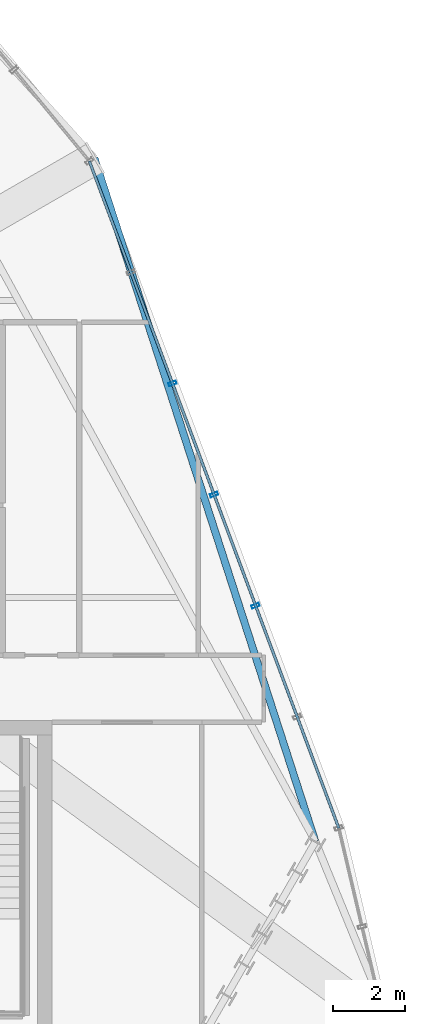
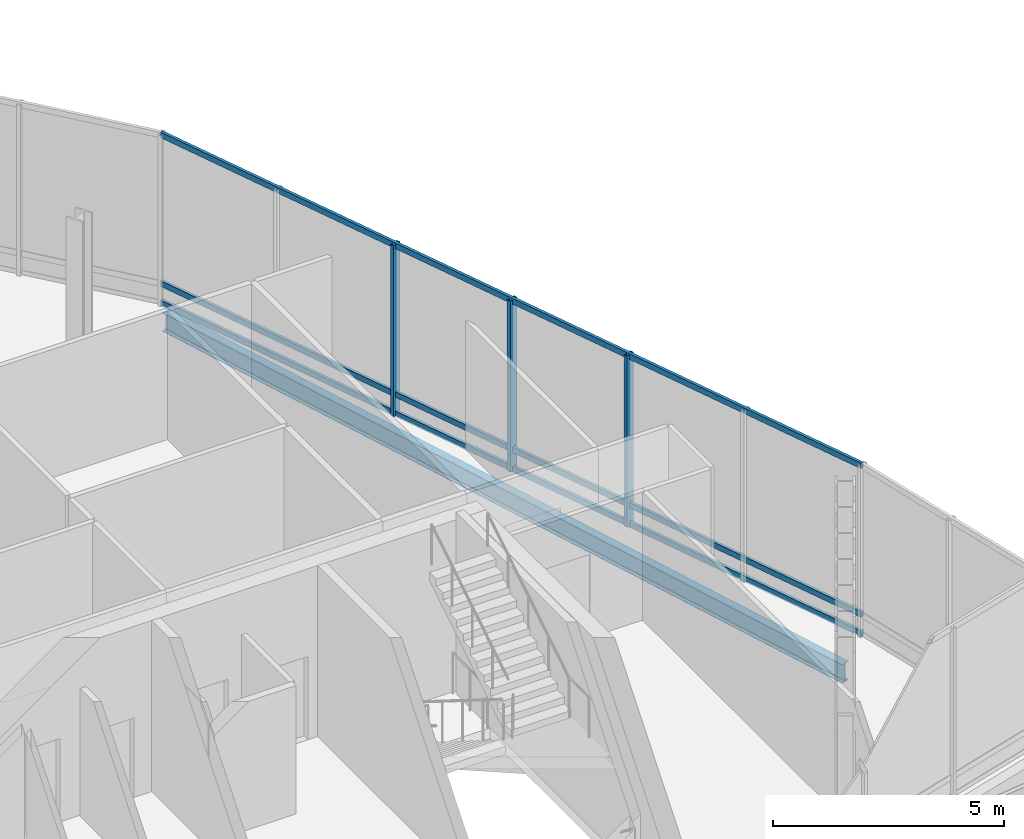
# One storey, part 13 of 29: 6 members, 1 beam, 1 element without a shape of its own.
"""IFC4 building model written with IfcOpenShell, lengths in metres."""

from ifc_helpers import new_model, si_unit, direction, frame, origin, origin_2d, place, context, subcontext, project, spatial, hollow_rectangle, i_section, extrude, material, layer, layer_set, material_profile, profile_set, type_object, element, aggregate, save


model = new_model("IFC4")

# Units and contexts
model_context = context("Model", 3, precision=1e-05, world=origin(), true_north=direction((0.0, 1.0)))
body_context = subcontext(model_context, "Body", "Model", "MODEL_VIEW")
ifc_project = project(units=[si_unit("LENGTHUNIT", "METRE"), si_unit("AREAUNIT", "SQUARE_METRE"), si_unit("VOLUMEUNIT", "CUBIC_METRE"), si_unit("PLANEANGLEUNIT", "RADIAN"), si_unit("MASSUNIT", "GRAM", prefix="KILO")], contexts=[model_context])

# Site, building, storey
site_placement = place(None, origin())
site = spatial("IfcSite", under=ifc_project, at=site_placement, CompositionType="ELEMENT")
building_placement = place(site_placement, origin())
building = spatial("IfcBuilding", under=site, at=building_placement, Name="Ndaravel Arena Tower", CompositionType="ELEMENT")
storey_placement = place(building_placement, frame((0.0, 0.0, 208.39990234375)))
storey = spatial("IfcBuildingStorey", under=building, at=storey_placement, Name="L50", CompositionType="ELEMENT", Elevation=208.39990234375)

# Beam
ifc_material_1 = material(Name="Steel S355", Category="steel")
ifc_material_profile_1 = material_profile(ifc_material_1, i_section(OverallWidth=0.199951171875, OverallDepth=0.5, WebThickness=0.01025390625, FlangeThickness=0.01611328125, FilletRadius=0.02099609375, at=origin_2d()), Name="IPE 500")
ifc_profile_set_1 = profile_set([ifc_material_profile_1], Name="Steel S355")
beam_type = type_object("IfcBeamType", Name="BM-SPAN-IPE500", PredefinedType="SPANDREL", material=ifc_profile_set_1)
beam_placement = place(storey_placement, frame((64.82861328125, 11.84814453125, -0.52978515625), z_axis=(-0.307548951698, 0.951532260257, 0.0), x_axis=(-0.951532260257, -0.307548951698, 0.0)))
element("IfcBeam", 1, at=beam_placement, inside=storey, type_object=beam_type, Name="L50 Star Facet Edge Beam SEA-4", PredefinedType="SPANDREL", context=body_context, shape_type="SweptSolid", body=[
    extrude(i_section(OverallWidth=0.199951171875, OverallDepth=0.5, WebThickness=0.01025390625, FlangeThickness=0.01611328125, FilletRadius=0.02099609375, at=origin_2d()), origin(), (0.0, 0.0, 1.0), 19.8369140625),
])

# Curtain wall, members
ifc_material_2 = material(Name="Aluminium", Category="aluminium")
ifc_layer = layer(ifc_material_2, 0.179931640625)
ifc_layer_set = layer_set([ifc_layer], Name="Aluminium")
curtain_wall_type = type_object("IfcCurtainWallType", Name="CW-SYS-04", PredefinedType="NOTDEFINED", material=ifc_layer_set)
curtain_wall_placement = place(storey_placement, origin())
curtain_wall = element("IfcCurtainWall", 2, at=curtain_wall_placement, inside=storey, type_object=curtain_wall_type, Name="L50 Faceted Crystal Curtain Wall CW-L50-E06", PredefinedType="NOTDEFINED")
ifc_material_3 = material(Name="Aluminium", Category="aluminium")
ifc_material_profile_2 = material_profile(ifc_material_3, hollow_rectangle(XDim=0.090087890625, YDim=0.219970703125, WallThickness=0.0048828125, at=origin_2d()), Name="CW MULLION 90x220x5")
ifc_profile_set_2 = profile_set([ifc_material_profile_2], Name="Aluminium")
member_type_1 = type_object("IfcMemberType", Name="MEM-CW-MUL220", PredefinedType="MULLION", material=ifc_profile_set_2)
member_1_placement = place(storey_placement, frame((63.1787109375, 18.364990234375, 0.0), z_axis=(0.0, 0.0, 1.0), x_axis=(-0.350272772461, 0.936647737878, 0.0)))
member_1 = element("IfcMember", 3, at=member_1_placement, type_object=member_type_1, Name="CW-L50-E06 Mullion 02", PredefinedType="MULLION", context=body_context, shape_type="SweptSolid", body=[
    extrude(hollow_rectangle(XDim=0.090087890625, YDim=0.219970703125, WallThickness=0.0048828125, at=origin_2d()), origin(), (0.0, 0.0, 1.0), 4.52001953125),
])
member_2_placement = place(storey_placement, frame((62.031005859375, 21.434326171875, 0.0), z_axis=(0.0, 0.0, 1.0), x_axis=(-0.350272772461, 0.936647737878, 0.0)))
member_2 = element("IfcMember", 4, at=member_2_placement, type_object=member_type_1, Name="CW-L50-E06 Mullion 03", PredefinedType="MULLION", context=body_context, shape_type="SweptSolid", body=[
    extrude(hollow_rectangle(XDim=0.090087890625, YDim=0.219970703125, WallThickness=0.0048828125, at=origin_2d()), origin(), (0.0, 0.0, 1.0), 4.52001953125),
])
member_3_placement = place(storey_placement, frame((60.883056640625, 24.50390625, 0.0), z_axis=(0.0, 0.0, 1.0), x_axis=(-0.350272772461, 0.936647737878, 0.0)))
member_3 = element("IfcMember", 5, at=member_3_placement, type_object=member_type_1, Name="CW-L50-E06 Mullion 04", PredefinedType="MULLION", context=body_context, shape_type="SweptSolid", body=[
    extrude(hollow_rectangle(XDim=0.090087890625, YDim=0.219970703125, WallThickness=0.0048828125, at=origin_2d()), origin(), (0.0, 0.0, 1.0), 4.52001953125),
])
ifc_material_4 = material(Name="Aluminium", Category="aluminium")
ifc_material_profile_3 = material_profile(ifc_material_4, hollow_rectangle(XDim=0.074951171875, YDim=0.14990234375, WallThickness=0.00390625, at=origin_2d()), Name="CW TRANSOM 75x150x4")
ifc_profile_set_3 = profile_set([ifc_material_profile_3], Name="Aluminium")
member_type_2 = type_object("IfcMemberType", Name="MEM-CW-TRN150", PredefinedType="USERDEFINED", material=ifc_profile_set_3)
member_4_placement = place(storey_placement, frame((65.474609375, 12.22607421875, 0.0400390625), z_axis=(-0.350276917062, 0.936646187935, 0.0), x_axis=(-0.936646187935, -0.350276917062, 0.0)))
member_4 = element("IfcMember", 6, at=member_4_placement, type_object=member_type_2, Name="CW-L50-E06 Transom 01", ObjectType="TRANSOM", PredefinedType="USERDEFINED", context=body_context, shape_type="SweptSolid", body=[
    extrude(hollow_rectangle(XDim=0.074951171875, YDim=0.14990234375, WallThickness=0.00390625, at=origin_2d()), origin(), (0.0, 0.0, 1.0), 19.662109375),
])
member_5_placement = place(storey_placement, frame((65.474609375, 12.22607421875, 0.550048828125), z_axis=(-0.350276917062, 0.936646187935, 0.0), x_axis=(-0.936646187935, -0.350276917062, 0.0)))
member_5 = element("IfcMember", 7, at=member_5_placement, type_object=member_type_2, Name="CW-L50-E06 Transom 02", ObjectType="TRANSOM", PredefinedType="USERDEFINED", context=body_context, shape_type="SweptSolid", body=[
    extrude(hollow_rectangle(XDim=0.074951171875, YDim=0.14990234375, WallThickness=0.00390625, at=origin_2d()), origin(), (0.0, 0.0, 1.0), 19.662109375),
])
member_6_placement = place(storey_placement, frame((65.474609375, 12.22607421875, 4.47998046875), z_axis=(-0.350276917062, 0.936646187935, 0.0), x_axis=(-0.936646187935, -0.350276917062, 0.0)))
member_6 = element("IfcMember", 8, at=member_6_placement, type_object=member_type_2, Name="CW-L50-E06 Transom 03", ObjectType="TRANSOM", PredefinedType="USERDEFINED", context=body_context, shape_type="SweptSolid", body=[
    extrude(hollow_rectangle(XDim=0.074951171875, YDim=0.14990234375, WallThickness=0.00390625, at=origin_2d()), origin(), (0.0, 0.0, 1.0), 19.662109375),
])
aggregate(curtain_wall, [member_1, member_2, member_3, member_4, member_5, member_6])

save(model, "model.ifc")
